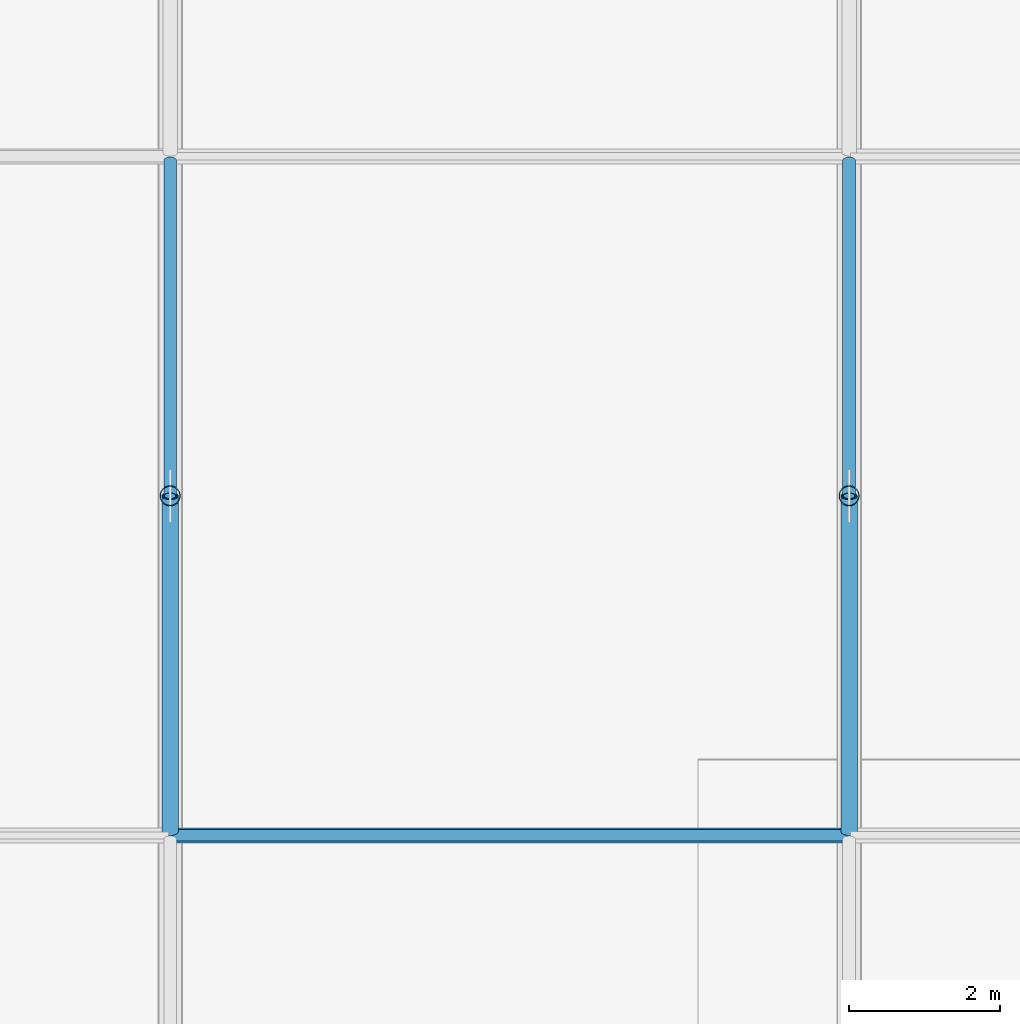
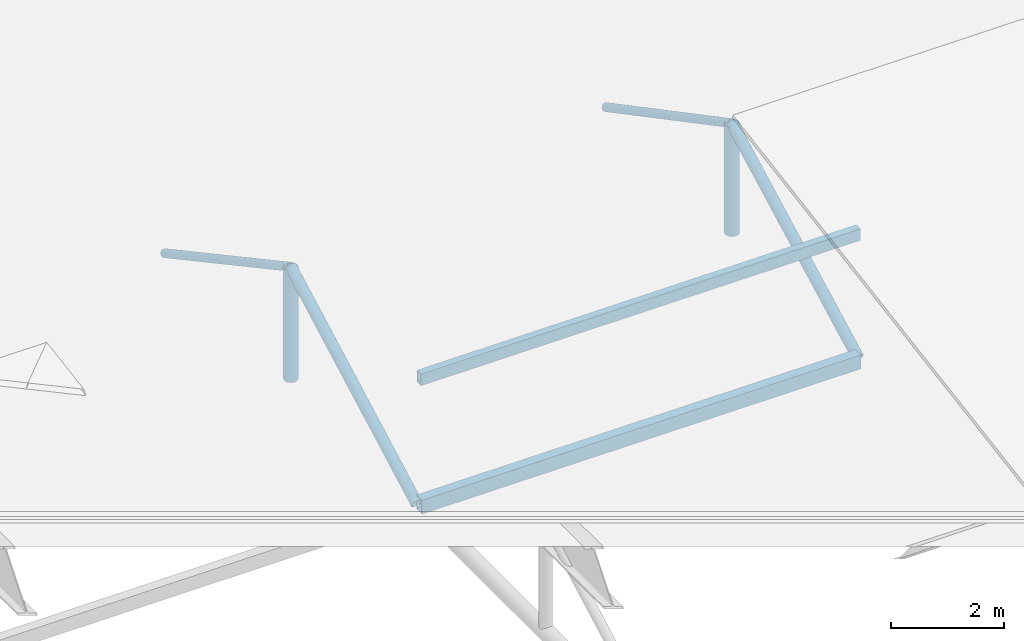
# One storey, part 56 of 196: 8 members.
"""IFC4 building model written with IfcOpenShell, lengths in metres."""

import ifcopenshell
import ifcopenshell.guid

model = None  # the IFC model being written
_history = None  # IfcOwnerHistory: only IFC2X3 demands one
_inside = {}  # id of a spatial element -> (the spatial element, [elements in it])
_under = {}  # id of a project, library or spatial element -> (it, [spatial elements below it])
_declared = {}  # id of a project -> (the project, [libraries it declares])
_typed = {}  # id of a type object -> (the type object, [elements of that type])
_made_of = {}  # id of a material, layer set ... -> (it, [elements and type objects made of it])


def new_model(schema):
    """Start an empty IFC model of exactly this schema.

    Asked for "IFC4X3", IfcOpenShell would pick the latest addendum, in which some entities
    have other attributes; the version numbers below select the first issue.
    IFC2X3 requires an IfcOwnerHistory on every rooted entity: one is made here for all.
    """
    global model, _history
    if schema == "IFC4X3":
        model = ifcopenshell.file(schema_version=(4, 3, 0, 0))
    else:
        model = ifcopenshell.file(schema=schema)
    _inside.clear()
    _under.clear()
    _declared.clear()
    _typed.clear()
    _made_of.clear()
    _history = None
    if model.schema == "IFC2X3":
        org = make("IfcOrganization", Name="unknown")
        user = make(
            "IfcPersonAndOrganization",
            ThePerson=make("IfcPerson", FamilyName="unknown"),
            TheOrganization=org,
        )
        app = make(
            "IfcApplication",
            ApplicationDeveloper=org,
            Version="unknown",
            ApplicationFullName="unknown",
            ApplicationIdentifier="unknown",
        )
        _history = make(
            "IfcOwnerHistory",
            OwningUser=user,
            OwningApplication=app,
            ChangeAction="ADDED",
            CreationDate=0,
        )
    return model


def make(cls, **values):
    """One entity of the class cls with the attributes given. An attribute that is None is left unset."""
    return model.create_entity(
        cls, **{name: value for name, value in values.items() if value is not None}
    )


def rooted(cls, **values):
    """An entity with a GlobalId (a new one), such as an element, a storey or a relation."""
    return make(cls, GlobalId=ifcopenshell.guid.new(), OwnerHistory=_history, **values)


def si_unit(unit_type, name, prefix=None):
    """IfcSIUnit, for example si_unit("LENGTHUNIT", "METRE", prefix="MILLI")."""
    return make("IfcSIUnit", UnitType=unit_type, Prefix=prefix, Name=name)


def assignment(units):
    """IfcUnitAssignment: the units of a project."""
    return None if units is None else make("IfcUnitAssignment", Units=units)


def point(xyz):
    """IfcCartesianPoint."""
    return None if xyz is None else make("IfcCartesianPoint", Coordinates=xyz)


def direction(xyz):
    """IfcDirection."""
    return None if xyz is None else make("IfcDirection", DirectionRatios=xyz)


def frame(location, z_axis=None, x_axis=None):
    """IfcAxis2Placement3D, a coordinate frame: its origin and axes. An axis left out is left unset."""
    return make(
        "IfcAxis2Placement3D",
        Location=point(location),
        Axis=direction(z_axis),
        RefDirection=direction(x_axis),
    )


def frame_2d(location, x_axis=None):
    """IfcAxis2Placement2D, a coordinate frame in the plane: its origin and x axis."""
    return make(
        "IfcAxis2Placement2D", Location=point(location), RefDirection=direction(x_axis)
    )


def origin():
    """The frame at (0, 0, 0) with its axes left unset."""
    return frame((0.0, 0.0, 0.0))


def origin_2d():
    """The frame at (0, 0) in the plane with its x axis left unset."""
    return frame_2d((0.0, 0.0))


def place(relative_to, where):
    """IfcLocalPlacement: puts the frame where relative to a parent placement (None: the world)."""
    return make(
        "IfcLocalPlacement", PlacementRelTo=relative_to, RelativePlacement=where
    )


def context(
    kind, dimensions, precision=None, world=None, true_north=None, identifier=None
):
    """IfcGeometricRepresentationContext, for example the 3D "Model" context."""
    return make(
        "IfcGeometricRepresentationContext",
        ContextIdentifier=identifier,
        ContextType=kind,
        CoordinateSpaceDimension=dimensions,
        Precision=precision,
        WorldCoordinateSystem=world,
        TrueNorth=true_north,
    )


def subcontext(parent, identifier, kind, view, scale=None):
    """IfcGeometricRepresentationSubContext, for example "Body" below "Model"."""
    return make(
        "IfcGeometricRepresentationSubContext",
        ContextIdentifier=identifier,
        ContextType=kind,
        ParentContext=parent,
        TargetScale=scale,
        TargetView=view,
    )


def project(units=None, contexts=None):
    """IfcProject with its units and contexts."""
    return rooted(
        "IfcProject",
        Name="project",
        RepresentationContexts=contexts,
        UnitsInContext=assignment(units),
    )


def spatial(cls, under=None, at=None, **own):
    """A site, building, storey or space (cls), placed at a placement, below another one or the project."""
    s = rooted(cls, ObjectPlacement=at, **own)
    if under is not None:
        _under.setdefault(under.id(), (under, []))[1].append(s)
    return s


def profile(cls, at=None, kind="AREA", **sizes):
    """A parametric profile (cls). Its sizes go by their IFC names, for example OverallWidth=200.0."""
    return make(cls, ProfileType=kind, Position=at, **sizes)


def hollow_rectangle(**sizes):
    """IfcRectangleHollowProfileDef."""
    return profile("IfcRectangleHollowProfileDef", **sizes)


def hollow_circle(**sizes):
    """IfcCircleHollowProfileDef."""
    return profile("IfcCircleHollowProfileDef", **sizes)


def extrude(swept, where, along, depth):
    """IfcExtrudedAreaSolid: the profile swept, set in the frame where, extruded along a direction by depth."""
    return make(
        "IfcExtrudedAreaSolid",
        SweptArea=swept,
        Position=where,
        ExtrudedDirection=direction(along),
        Depth=depth,
    )


def shape(context_of_items, identifier, shape_type, items):
    """IfcShapeRepresentation: the items that make up one representation, for example the "Body"."""
    return make(
        "IfcShapeRepresentation",
        ContextOfItems=context_of_items,
        RepresentationIdentifier=identifier,
        RepresentationType=shape_type,
        Items=items,
    )


def material(Name=None, Category=None):
    """IfcMaterial."""
    return make("IfcMaterial", Name=Name, Category=Category)


def material_profile(
    of_material, cross_section, Name=None, Category=None, Priority=None
):
    """IfcMaterialProfile: a cross section and its material."""
    return make(
        "IfcMaterialProfile",
        Name=Name,
        Material=of_material,
        Profile=cross_section,
        Priority=Priority,
        Category=Category,
    )


def profile_set(profiles, Name=None, composite=None):
    """IfcMaterialProfileSet."""
    return make(
        "IfcMaterialProfileSet",
        Name=Name,
        MaterialProfiles=profiles,
        CompositeProfile=composite,
    )


def made_of(thing, what):
    """Note that an element or type object is made of a material, layer set ...; save() writes the relation."""
    if what is not None:
        _made_of.setdefault(what.id(), (what, []))[1].append(thing)
    return thing


def type_object(cls, material=None, **own):
    """A type object (cls), such as IfcWallType, which elements share."""
    return made_of(rooted(cls, **own), material)


def element(
    cls,
    number,
    at=None,
    inside=None,
    cuts=None,
    type_object=None,
    material=None,
    context=None,
    identifier="Body",
    shape_type=None,
    held_by="IfcProductDefinitionShape",
    body=None,
    shapes=None,
    **own,
):
    """One element of the class cls, such as IfcWall. Its Tag is "e" and its number.

    at: its placement. inside: the storey or other place that contains it. cuts: it is an
    opening in that element (IfcRelVoidsElement). A single representation is given by context,
    identifier, shape_type and body (its items); several are given by shapes. held_by: the class
    of the entity that holds the representations. save() writes the other relations.
    """
    e = rooted(cls, Tag="e%d" % number, ObjectPlacement=at, **own)
    if body is not None:
        shapes = [shape(context, identifier, shape_type, body)]
    if shapes is not None:
        e.Representation = make(held_by, Representations=shapes)
    if inside is not None:
        _inside.setdefault(inside.id(), (inside, []))[1].append(e)
    if cuts is not None:
        rooted(
            "IfcRelVoidsElement", RelatingBuildingElement=cuts, RelatedOpeningElement=e
        )
    if type_object is not None:
        _typed.setdefault(type_object.id(), (type_object, []))[1].append(e)
    return made_of(e, material)


def aggregate(whole, parts):
    """IfcRelAggregates: a whole, such as a stair, and the parts it consists of."""
    return rooted("IfcRelAggregates", RelatingObject=whole, RelatedObjects=parts)


def save(model, path):
    """Write the relations noted so far, then the file.

    IfcRelAggregates (storeys below a building ...), IfcRelContainedInSpatialStructure (elements
    in a storey), IfcRelDefinesByType, IfcRelAssociatesMaterial and IfcRelDeclares: one each for
    every whole, place, type object, material and project.
    """
    for whole, parts in _under.values():
        aggregate(whole, parts)
    for where, things in _inside.values():
        rooted(
            "IfcRelContainedInSpatialStructure",
            RelatedElements=things,
            RelatingStructure=where,
        )
    for kind, things in _typed.values():
        rooted("IfcRelDefinesByType", RelatedObjects=things, RelatingType=kind)
    for what, things in _made_of.values():
        rooted("IfcRelAssociatesMaterial", RelatedObjects=things, RelatingMaterial=what)
    for by, libraries in _declared.values():
        rooted("IfcRelDeclares", RelatingContext=by, RelatedDefinitions=libraries)
    model.write(path)


model = new_model("IFC4")

# Units and contexts
model_context = context("Model", 3, precision=1e-05, world=origin(), true_north=direction((0.0, 1.0)))
body_context = subcontext(model_context, "Body", "Model", "MODEL_VIEW")
ifc_project = project(units=[si_unit("LENGTHUNIT", "METRE"), si_unit("AREAUNIT", "SQUARE_METRE"), si_unit("VOLUMEUNIT", "CUBIC_METRE"), si_unit("PLANEANGLEUNIT", "RADIAN"), si_unit("MASSUNIT", "GRAM", prefix="KILO")], contexts=[model_context])

# Site, building, storey
site_placement = place(None, origin())
site = spatial("IfcSite", under=ifc_project, at=site_placement, CompositionType="ELEMENT")
building_placement = place(site_placement, origin())
building = spatial("IfcBuilding", under=site, at=building_placement, Name="Barlavento Convention Centre", CompositionType="ELEMENT")
storey_placement = place(building_placement, frame((0.0, 0.0, 18.0)))
storey = spatial("IfcBuildingStorey", under=building, at=storey_placement, Name="L03", CompositionType="ELEMENT", Elevation=18.0)

# Members
ifc_material = material(Name="Steel S355", Category="steel")
ifc_material_profile_1 = material_profile(ifc_material, hollow_rectangle(XDim=0.199951171875, YDim=0.300048828125, WallThickness=0.012451171875, at=origin_2d()), Name="RHS 300x200x12.5")
ifc_profile_set_1 = profile_set([ifc_material_profile_1], Name="Steel S355")
member_type_1 = type_object("IfcMemberType", Name="STR-MEM-COL-RHS300", PredefinedType="COLLAR", material=ifc_profile_set_1)
member_1_placement = place(storey_placement, frame((36.02001953125, 81.0, -3.199951171875), z_axis=(1.0, 0.0, 0.0), x_axis=(0.0, 1.0, 0.0)))
element("IfcMember", 1, at=member_1_placement, inside=storey, type_object=member_type_1, Name="Exhibition space frame transverse chord", PredefinedType="COLLAR", context=body_context, shape_type="SweptSolid", body=[
    extrude(hollow_rectangle(XDim=0.199951171875, YDim=0.300048828125, WallThickness=0.012451171875, at=origin_2d()), origin(), (0.0, 0.0, 1.0), 8.9599609375),
])
ifc_material_profile_2 = material_profile(ifc_material, hollow_circle(Radius=0.084228515625, WallThickness=0.010009765625, at=origin_2d()), Name="CHS 168.3x10.0")
ifc_profile_set_2 = profile_set([ifc_material_profile_2], Name="Steel S355")
member_type_2 = type_object("IfcMemberType", Name="STR-MEM-DIAG-CHS168", PredefinedType="POST", material=ifc_profile_set_2)
member_2_placement = place(storey_placement, frame((36.0, 85.5, -0.794921875), z_axis=(0.0, 0.879735433057, -0.475463529437), x_axis=(-1.0, 0.0, 0.0)))
element("IfcMember", 2, at=member_2_placement, inside=storey, type_object=member_type_2, Name="Exhibition space frame web diagonal", PredefinedType="POST", context=body_context, shape_type="SweptSolid", body=[
    extrude(hollow_circle(Radius=0.084228515625, WallThickness=0.010009765625, at=origin_2d()), origin(), (0.0, 0.0, 1.0), 5.058349609375),
])
member_3_placement = place(storey_placement, frame((45.0, 85.5, -0.84912109375), z_axis=(0.0, 0.884200566707, -0.467107437144), x_axis=(-1.0, 0.0, 0.0)))
element("IfcMember", 3, at=member_3_placement, inside=storey, type_object=member_type_2, Name="Exhibition space frame web diagonal", PredefinedType="POST", context=body_context, shape_type="SweptSolid", body=[
    extrude(hollow_circle(Radius=0.084228515625, WallThickness=0.010009765625, at=origin_2d()), origin(), (0.0, 0.0, 1.0), 5.03271484375),
])
ifc_material_profile_3 = material_profile(ifc_material, hollow_circle(Radius=0.109619140625, WallThickness=0.012451171875, at=origin_2d()), Name="CHS 219.1x12.5")
ifc_profile_set_3 = profile_set([ifc_material_profile_3], Name="Steel S355")
member_type_3 = type_object("IfcMemberType", Name="STR-MEM-DIAG-CHS219", PredefinedType="RAFTER", material=ifc_profile_set_3)
member_4_placement = place(storey_placement, frame((36.0, 81.050048828125, -3.199951171875), z_axis=(0.0, 0.879735433057, 0.475463529437), x_axis=(-1.0, 0.0, 0.0)))
element("IfcMember", 4, at=member_4_placement, inside=storey, type_object=member_type_3, Name="Exhibition space frame web diagonal", PredefinedType="RAFTER", context=body_context, shape_type="SweptSolid", body=[
    extrude(hollow_circle(Radius=0.109619140625, WallThickness=0.012451171875, at=origin_2d()), origin(), (0.0, 0.0, 1.0), 5.058349609375),
])
member_5_placement = place(storey_placement, frame((45.0, 81.050048828125, -3.199951171875), z_axis=(0.0, 0.884200566707, 0.467107437144), x_axis=(-1.0, 0.0, 0.0)))
element("IfcMember", 5, at=member_5_placement, inside=storey, type_object=member_type_3, Name="Exhibition space frame web diagonal", PredefinedType="RAFTER", context=body_context, shape_type="SweptSolid", body=[
    extrude(hollow_circle(Radius=0.109619140625, WallThickness=0.012451171875, at=origin_2d()), origin(), (0.0, 0.0, 1.0), 5.03271484375),
])
ifc_material_profile_4 = material_profile(ifc_material, hollow_rectangle(XDim=0.14990234375, YDim=0.25, WallThickness=0.010009765625, at=origin_2d()), Name="RHS 250x150x10.0")
ifc_profile_set_4 = profile_set([ifc_material_profile_4], Name="Steel S355")
member_type_4 = type_object("IfcMemberType", Name="STR-MEM-PUR-RHS250", PredefinedType="PURLIN", material=ifc_profile_set_4)
member_6_placement = place(storey_placement, frame((36.02001953125, 81.0, -0.469970703125), z_axis=(1.0, 0.0, 0.0), x_axis=(0.0, 1.0, 0.0)))
element("IfcMember", 6, at=member_6_placement, inside=storey, type_object=member_type_4, Name="Exhibition roof purlin", PredefinedType="PURLIN", context=body_context, shape_type="SweptSolid", body=[
    extrude(hollow_rectangle(XDim=0.14990234375, YDim=0.25, WallThickness=0.010009765625, at=origin_2d()), origin(), (0.0, 0.0, 1.0), 8.9599609375),
])
ifc_material_profile_5 = material_profile(ifc_material, hollow_circle(Radius=0.136474609375, WallThickness=0.012451171875, at=origin_2d()), Name="CHS 273.0x12.5")
ifc_profile_set_5 = profile_set([ifc_material_profile_5], Name="Steel S355")
member_type_5 = type_object("IfcMemberType", Name="STR-MEM-STRUT-CHS273", PredefinedType="STRUT", material=ifc_profile_set_5)
member_7_placement = place(storey_placement, frame((36.0, 85.5, -3.199951171875), z_axis=(0.0, 0.0, 1.0), x_axis=(1.0, 0.0, 0.0)))
element("IfcMember", 7, at=member_7_placement, inside=storey, type_object=member_type_5, Name="Exhibition space frame vertical strut", PredefinedType="STRUT", context=body_context, shape_type="SweptSolid", body=[
    extrude(hollow_circle(Radius=0.136474609375, WallThickness=0.012451171875, at=origin_2d()), origin(), (0.0, 0.0, 1.0), 2.405029296875),
])
member_8_placement = place(storey_placement, frame((45.0, 85.5, -3.199951171875), z_axis=(0.0, 0.0, 1.0), x_axis=(1.0, 0.0, 0.0)))
element("IfcMember", 8, at=member_8_placement, inside=storey, type_object=member_type_5, Name="Exhibition space frame vertical strut", PredefinedType="STRUT", context=body_context, shape_type="SweptSolid", body=[
    extrude(hollow_circle(Radius=0.136474609375, WallThickness=0.012451171875, at=origin_2d()), origin(), (0.0, 0.0, 1.0), 2.350830078125),
])

save(model, "model.ifc")
